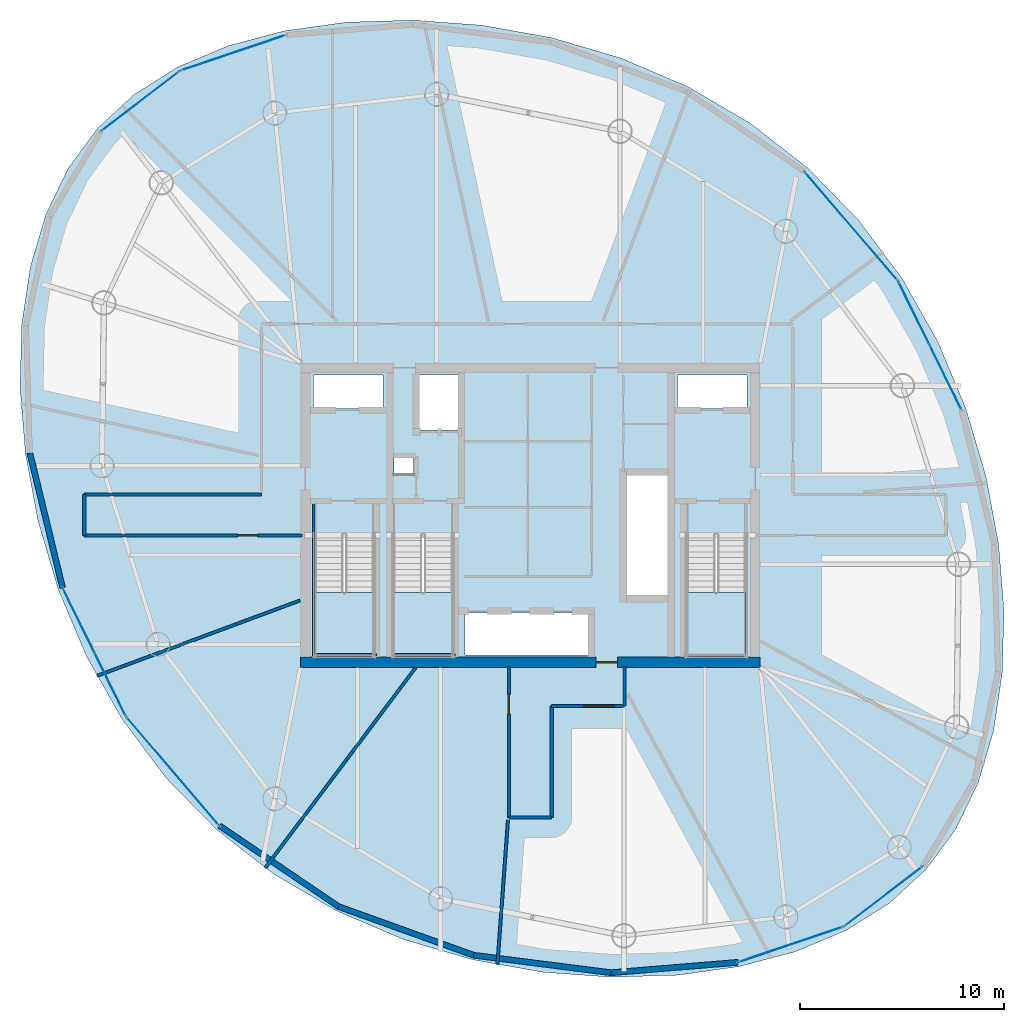
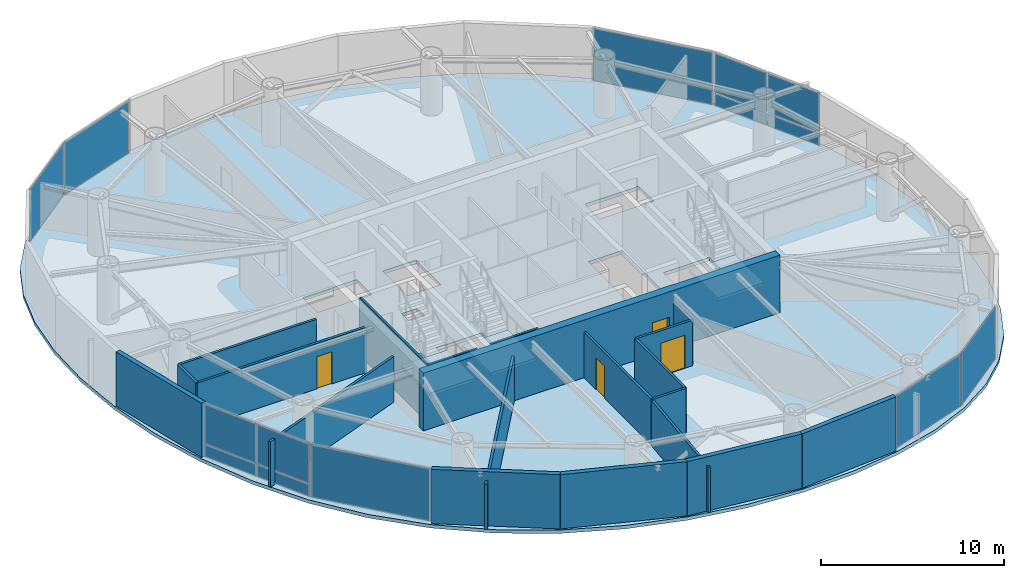
# One storey, part 13 of 19: 20 walls, 14 plates, 4 doors, 4 slabs, 4 openings, 11 elements without a shape of their own.
"""IFC4 building model written with IfcOpenShell, lengths in metres."""

from ifc_helpers import new_model, si_unit, direction, frame, frame_2d, origin, origin_2d, place, context, subcontext, project, spatial, polyline, rectangle, outline, extrude, material, layer, layer_set, type_object, element, fill, aggregate, save


model = new_model("IFC4")

# Units and contexts
model_context = context("Model", 3, precision=1e-05, world=origin(), true_north=direction((0.0, 1.0)))
body_context = subcontext(model_context, "Body", "Model", "MODEL_VIEW")
ifc_project = project(units=[si_unit("LENGTHUNIT", "METRE"), si_unit("AREAUNIT", "SQUARE_METRE"), si_unit("VOLUMEUNIT", "CUBIC_METRE"), si_unit("PLANEANGLEUNIT", "RADIAN"), si_unit("MASSUNIT", "GRAM", prefix="KILO")], contexts=[model_context])

# Site, building, storey
site_placement = place(None, origin())
site = spatial("IfcSite", under=ifc_project, at=site_placement, CompositionType="ELEMENT")
building_placement = place(site_placement, origin())
building = spatial("IfcBuilding", under=site, at=building_placement, Name="Bramvorn Convention Spire", CompositionType="ELEMENT")
storey_placement = place(building_placement, frame((0.0, 0.0, 198.14990234375)))
storey = spatial("IfcBuildingStorey", under=building, at=storey_placement, Name="L50", CompositionType="ELEMENT", Elevation=198.14990234375)

# Curtain wall, plates
ifc_material_1 = material(Name="Anodised Bronze Unitised Curtain Wall", Category="aluminium")
ifc_layer_1 = layer(ifc_material_1, 0.179931640625)
ifc_layer_set_1 = layer_set([ifc_layer_1], Name="Anodised Bronze Unitised Curtain Wall - CW-OFF-FRIT")
curtain_wall_type = type_object("IfcCurtainWallType", Name="CW-OFF-FRIT", PredefinedType="USERDEFINED", material=ifc_layer_set_1)
curtain_wall_1_placement = place(storey_placement, origin())
curtain_wall_1 = element("IfcCurtainWall", 1, at=curtain_wall_1_placement, inside=storey, type_object=curtain_wall_type, Name="L50 fritted glass curtain wall 05", ObjectType="UNITISED CURTAIN WALL", PredefinedType="USERDEFINED")
ifc_material_2 = material(Name="Laminated Low-E Glass (Triple IGU Solar Bronze Frit 28%)", Category="glass")
ifc_layer_2 = layer(ifc_material_2, 0.0400390625)
ifc_layer_set_2 = layer_set([ifc_layer_2], Name="Laminated Low-E Glass (Triple IGU Solar Bronze Frit 28%) - PNL-IGU-3")
plate_type = type_object("IfcPlateType", Name="PNL-IGU-3", PredefinedType="CURTAIN_PANEL", material=ifc_layer_set_2)
plate_1_placement = place(storey_placement, frame((56.778564453125, 35.86474609375, 0.06005859375), z_axis=(0.0, 0.0, 1.0), x_axis=(0.441647497316, -0.897188658039, 0.0)))
plate_1 = element("IfcPlate", 2, at=plate_1_placement, type_object=plate_type, Name="CW3 panel 1.1", PredefinedType="CURTAIN_PANEL", context=body_context, shape_type="SweptSolid", body=[
    extrude(rectangle(XDim=3.418701171875, YDim=0.028076171875, at=origin_2d()), origin(), (0.0, 0.0, 1.0), 0.81005859375),
])
plate_2_placement = place(storey_placement, frame((56.778564453125, 35.86474609375, 0.93017578125), z_axis=(0.0, 0.0, 1.0), x_axis=(0.441647497316, -0.897188658039, 0.0)))
plate_2 = element("IfcPlate", 3, at=plate_2_placement, type_object=plate_type, Name="CW3 panel 1.2", PredefinedType="CURTAIN_PANEL", context=body_context, shape_type="SweptSolid", body=[
    extrude(rectangle(XDim=3.418701171875, YDim=0.028076171875, at=origin_2d()), origin(), (0.0, 0.0, 1.0), 2.6298828125),
])
plate_3_placement = place(storey_placement, frame((58.31494140625, 32.74365234375, 0.06005859375), z_axis=(0.0, 0.0, 1.0), x_axis=(0.441647497316, -0.897188658039, 0.0)))
plate_3 = element("IfcPlate", 4, at=plate_3_placement, type_object=plate_type, Name="CW3 panel 2.1", PredefinedType="CURTAIN_PANEL", context=body_context, shape_type="SweptSolid", body=[
    extrude(rectangle(XDim=3.418701171875, YDim=0.028076171875, at=origin_2d()), origin(), (0.0, 0.0, 1.0), 0.81005859375),
])
plate_4_placement = place(storey_placement, frame((58.31494140625, 32.74365234375, 0.93017578125), z_axis=(0.0, 0.0, 1.0), x_axis=(0.441647497316, -0.897188658039, 0.0)))
plate_4 = element("IfcPlate", 5, at=plate_4_placement, type_object=plate_type, Name="CW3 panel 2.2", PredefinedType="CURTAIN_PANEL", context=body_context, shape_type="SweptSolid", body=[
    extrude(rectangle(XDim=3.418701171875, YDim=0.028076171875, at=origin_2d()), origin(), (0.0, 0.0, 1.0), 2.6298828125),
])
aggregate(curtain_wall_1, [plate_1, plate_2, plate_3, plate_4])

# Curtain wall, plate
curtain_wall_2_placement = place(storey_placement, origin())
curtain_wall_2 = element("IfcCurtainWall", 6, at=curtain_wall_2_placement, inside=storey, type_object=curtain_wall_type, Name="L50 fritted glass curtain wall 06", ObjectType="UNITISED CURTAIN WALL", PredefinedType="USERDEFINED")
plate_5_placement = place(storey_placement, frame((53.70654296875, 40.12890625, 0.06005859375), z_axis=(0.0, 0.0, 1.0), x_axis=(0.650172838355, -0.759786338562, 0.0)))
plate_5 = element("IfcPlate", 7, at=plate_5_placement, type_object=plate_type, Name="CW3 panel 1.1", PredefinedType="CURTAIN_PANEL", context=body_context, shape_type="SweptSolid", body=[
    extrude(rectangle(XDim=6.92578125, YDim=0.028076171875, at=origin_2d()), origin(), (0.0, 0.0, 1.0), 3.5),
])
aggregate(curtain_wall_2, [plate_5])

curtain_wall_3_placement = place(storey_placement, origin())
curtain_wall_3 = element("IfcCurtainWall", 8, at=curtain_wall_3_placement, inside=storey, type_object=curtain_wall_type, Name="L50 fritted glass curtain wall 11", ObjectType="UNITISED CURTAIN WALL", PredefinedType="USERDEFINED")
plate_6_placement = place(storey_placement, frame((23.45849609375, 48.61376953125, 0.06005859375), z_axis=(0.0, 0.0, 1.0), x_axis=(0.947513000091, 0.319717241728, 0.0)))
plate_6 = element("IfcPlate", 9, at=plate_6_placement, type_object=plate_type, Name="CW3 panel 1.1", PredefinedType="CURTAIN_PANEL", context=body_context, shape_type="SweptSolid", body=[
    extrude(rectangle(XDim=5.344482421875, YDim=0.028076171875, at=origin_2d()), origin(), (0.0, 0.0, 1.0), 3.5),
])
aggregate(curtain_wall_3, [plate_6])

curtain_wall_4_placement = place(storey_placement, origin())
curtain_wall_4 = element("IfcCurtainWall", 10, at=curtain_wall_4_placement, inside=storey, type_object=curtain_wall_type, Name="L50 fritted glass curtain wall 12", ObjectType="UNITISED CURTAIN WALL", PredefinedType="USERDEFINED")
plate_7_placement = place(storey_placement, frame((18.93115234375, 46.261474609375, 0.06005859375), z_axis=(0.0, 0.0, 1.0), x_axis=(0.795120912018, 0.606450933935, 0.0)))
plate_7 = element("IfcPlate", 11, at=plate_7_placement, type_object=plate_type, Name="CW3 panel 1.1", PredefinedType="CURTAIN_PANEL", context=body_context, shape_type="SweptSolid", body=[
    extrude(rectangle(XDim=4.75634765625, YDim=0.028076171875, at=origin_2d()), origin(), (0.0, 0.0, 1.0), 3.5),
])
aggregate(curtain_wall_4, [plate_7])

# Curtain wall, plates
curtain_wall_5_placement = place(storey_placement, origin())
curtain_wall_5 = element("IfcCurtainWall", 12, at=curtain_wall_5_placement, inside=storey, type_object=curtain_wall_type, Name="L50 fritted glass curtain wall 17", ObjectType="UNITISED CURTAIN WALL", PredefinedType="USERDEFINED")
plate_8_placement = place(storey_placement, frame((17.432373046875, 17.73486328125, 0.06005859375), z_axis=(0.0, 0.0, 1.0), x_axis=(-0.441658967641, 0.897183011599, 0.0)))
plate_8 = element("IfcPlate", 13, at=plate_8_placement, type_object=plate_type, Name="CW3 panel 1.1", PredefinedType="CURTAIN_PANEL", context=body_context, shape_type="SweptSolid", body=[
    extrude(rectangle(XDim=3.418701171875, YDim=0.028076171875, at=origin_2d()), origin(), (0.0, 0.0, 1.0), 0.81005859375),
])
plate_9_placement = place(storey_placement, frame((17.432373046875, 17.73486328125, 0.93017578125), z_axis=(0.0, 0.0, 1.0), x_axis=(-0.441658967641, 0.897183011599, 0.0)))
plate_9 = element("IfcPlate", 14, at=plate_9_placement, type_object=plate_type, Name="CW3 panel 1.2", PredefinedType="CURTAIN_PANEL", context=body_context, shape_type="SweptSolid", body=[
    extrude(rectangle(XDim=3.418701171875, YDim=0.028076171875, at=origin_2d()), origin(), (0.0, 0.0, 1.0), 2.6298828125),
])
plate_10_placement = place(storey_placement, frame((15.89599609375, 20.85595703125, 0.06005859375), z_axis=(0.0, 0.0, 1.0), x_axis=(-0.441658967641, 0.897183011599, 0.0)))
plate_10 = element("IfcPlate", 15, at=plate_10_placement, type_object=plate_type, Name="CW3 panel 2.1", PredefinedType="CURTAIN_PANEL", context=body_context, shape_type="SweptSolid", body=[
    extrude(rectangle(XDim=3.418701171875, YDim=0.028076171875, at=origin_2d()), origin(), (0.0, 0.0, 1.0), 0.81005859375),
])
plate_11_placement = place(storey_placement, frame((15.89599609375, 20.85595703125, 0.93017578125), z_axis=(0.0, 0.0, 1.0), x_axis=(-0.441658967641, 0.897183011599, 0.0)))
plate_11 = element("IfcPlate", 16, at=plate_11_placement, type_object=plate_type, Name="CW3 panel 2.2", PredefinedType="CURTAIN_PANEL", context=body_context, shape_type="SweptSolid", body=[
    extrude(rectangle(XDim=3.418701171875, YDim=0.028076171875, at=origin_2d()), origin(), (0.0, 0.0, 1.0), 2.6298828125),
])
aggregate(curtain_wall_5, [plate_8, plate_9, plate_10, plate_11])

# Curtain wall, plate
curtain_wall_6_placement = place(storey_placement, origin())
curtain_wall_6 = element("IfcCurtainWall", 17, at=curtain_wall_6_placement, inside=storey, type_object=curtain_wall_type, Name="L50 fritted glass curtain wall 18", ObjectType="UNITISED CURTAIN WALL", PredefinedType="USERDEFINED")
plate_12_placement = place(storey_placement, frame((20.50439453125, 13.470703125, 0.06005859375), z_axis=(0.0, 0.0, 1.0), x_axis=(-0.650171656289, 0.759787350091, 0.0)))
plate_12 = element("IfcPlate", 18, at=plate_12_placement, type_object=plate_type, Name="CW3 panel 1.1", PredefinedType="CURTAIN_PANEL", context=body_context, shape_type="SweptSolid", body=[
    extrude(rectangle(XDim=6.925537109375, YDim=0.028076171875, at=origin_2d()), origin(), (0.0, 0.0, 1.0), 3.5),
])
aggregate(curtain_wall_6, [plate_12])

curtain_wall_7_placement = place(storey_placement, origin())
curtain_wall_7 = element("IfcCurtainWall", 19, at=curtain_wall_7_placement, inside=storey, type_object=curtain_wall_type, Name="L50 fritted glass curtain wall 23", ObjectType="UNITISED CURTAIN WALL", PredefinedType="USERDEFINED")
plate_13_placement = place(storey_placement, frame((50.752197265625, 4.986083984375, 0.06005859375), z_axis=(0.0, 0.0, 1.0), x_axis=(-0.947507456285, -0.319733670864, 0.0)))
plate_13 = element("IfcPlate", 20, at=plate_13_placement, type_object=plate_type, Name="CW3 panel 1.1", PredefinedType="CURTAIN_PANEL", context=body_context, shape_type="SweptSolid", body=[
    extrude(rectangle(XDim=5.344482421875, YDim=0.028076171875, at=origin_2d()), origin(), (0.0, 0.0, 1.0), 3.5),
])
aggregate(curtain_wall_7, [plate_13])

curtain_wall_8_placement = place(storey_placement, origin())
curtain_wall_8 = element("IfcCurtainWall", 21, at=curtain_wall_8_placement, inside=storey, type_object=curtain_wall_type, Name="L50 fritted glass curtain wall 24", ObjectType="UNITISED CURTAIN WALL", PredefinedType="USERDEFINED")
plate_14_placement = place(storey_placement, frame((55.27978515625, 7.338134765625, 0.06005859375), z_axis=(0.0, 0.0, 1.0), x_axis=(-0.79512845418, -0.606441045242, 0.0)))
plate_14 = element("IfcPlate", 22, at=plate_14_placement, type_object=plate_type, Name="CW3 panel 1.1", PredefinedType="CURTAIN_PANEL", context=body_context, shape_type="SweptSolid", body=[
    extrude(rectangle(XDim=4.75634765625, YDim=0.028076171875, at=origin_2d()), origin(), (0.0, 0.0, 1.0), 3.5),
])
aggregate(curtain_wall_8, [plate_14])

# Stair, slab
ifc_material_3 = material(Name="Concrete C40/50 Precast Stair", Category="concrete")
stair_type = type_object("IfcStairType", Name="ST-TOWER-1550", PredefinedType="HALF_TURN_STAIR", material=ifc_material_3)
stair_1_placement = place(storey_placement, origin())
stair_1 = element("IfcStair", 23, at=stair_1_placement, inside=storey, type_object=stair_type, Name="L50 Protected Exit Stair ST1", PredefinedType="HALF_TURN_STAIR")
ifc_material_4 = material(Name="Concrete C40/50 Stair Landing", Category="concrete")
ifc_layer_3 = layer(ifc_material_4, 0.219970703125)
ifc_layer_set_3 = layer_set([ifc_layer_3], Name="Concrete C40/50 Stair Landing - SLB-STAIR-LANDING")
slab_type_1 = type_object("IfcSlabType", Name="SLB-STAIR-LANDING", PredefinedType="LANDING", material=ifc_layer_set_3)
slab_1_placement = place(storey_placement, frame((0.0, 0.0, 1.72509765625)))
slab_1 = element("IfcSlab", 24, at=slab_1_placement, type_object=slab_type_1, Name="ST1 landing 1", PredefinedType="LANDING", context=body_context, shape_type="SweptSolid", body=[
    extrude(outline(polyline([(27.449951171875, 22.199951171875), (27.449951171875, 19.10009765625), (30.35009765625, 19.10009765625), (30.35009765625, 22.199951171875), (27.449951171875, 22.199951171875)])), origin(), (0.0, 0.0, 1.0), 0.199951171875),
])
aggregate(stair_1, [slab_1])

stair_2_placement = place(storey_placement, origin())
stair_2 = element("IfcStair", 25, at=stair_2_placement, inside=storey, type_object=stair_type, Name="L50 Protected Exit Stair ST2", PredefinedType="HALF_TURN_STAIR")
slab_2_placement = place(storey_placement, frame((0.0, 0.0, 1.72509765625)))
slab_2 = element("IfcSlab", 26, at=slab_2_placement, type_object=slab_type_1, Name="ST2 landing 1", PredefinedType="LANDING", context=body_context, shape_type="SweptSolid", body=[
    extrude(outline(polyline([(45.64990234375, 22.199951171875), (45.64990234375, 19.10009765625), (48.550048828125, 19.10009765625), (48.550048828125, 22.199951171875), (45.64990234375, 22.199951171875)])), origin(), (0.0, 0.0, 1.0), 0.199951171875),
])
aggregate(stair_2, [slab_2])

stair_3_placement = place(storey_placement, origin())
stair_3 = element("IfcStair", 27, at=stair_3_placement, inside=storey, type_object=stair_type, Name="L50 Protected Exit Stair ST3", PredefinedType="HALF_TURN_STAIR")
slab_3_placement = place(storey_placement, frame((0.0, 0.0, 1.72509765625)))
slab_3 = element("IfcSlab", 28, at=slab_3_placement, type_object=slab_type_1, Name="ST3 landing 1", PredefinedType="LANDING", context=body_context, shape_type="SweptSolid", body=[
    extrude(outline(polyline([(31.300048828125, 22.199951171875), (31.300048828125, 19.10009765625), (34.199951171875, 19.10009765625), (34.199951171875, 22.199951171875), (31.300048828125, 22.199951171875)])), origin(), (0.0, 0.0, 1.0), 0.199951171875),
])
aggregate(stair_3, [slab_3])

# Slab
ifc_material_5 = material(Name="Concrete C40/50", Category="concrete")
ifc_layer_4 = layer(ifc_material_5, 0.22998046875)
ifc_layer_set_4 = layer_set([ifc_layer_4], Name="Concrete C40/50 - SLB-Z3-230")
slab_type_2 = type_object("IfcSlabType", Name="SLB-Z3-230", PredefinedType="FLOOR", material=ifc_layer_set_4)
slab_4_placement = place(storey_placement, frame((0.0, 0.0, -0.22998046875)))
element("IfcSlab", 29, at=slab_4_placement, inside=storey, type_object=slab_type_2, Name="L50 tower floor slab", PredefinedType="FLOOR", context=body_context, shape_type="SweptSolid", body=[
    extrude(outline(polyline([(57.38232421875, 8.670166015625), (58.822509765625, 10.6298828125), (59.918701171875, 12.8974609375), (60.67578125, 15.4599609375), (61.096435546875, 18.29150390625), (61.17919921875, 21.349365234375), (60.916748046875, 24.57568359375), (60.298095703125, 27.89697265625), (59.310302734375, 31.230712890625), (57.94287109375, 34.488525390625), (56.19091796875, 37.583740234375), (54.061279296875, 40.437255859375), (51.574462890625, 42.982666015625), (48.767822265625, 45.170166015625), (45.694580078125, 46.968505859375), (42.42333984375, 48.3642578125), (39.033447265625, 49.3603515625), (35.610595703125, 49.97021484375), (32.24072265625, 50.21484375), (29.005615234375, 50.115966796875), (25.975830078125, 49.693115234375), (23.208984375, 48.959228515625), (20.74658203125, 47.921142578125), (18.615478515625, 46.5791015625), (16.82861328125, 44.929443359375), (15.388427734375, 42.9697265625), (14.292236328125, 40.702392578125), (13.53515625, 38.1396484375), (13.114501953125, 35.308349609375), (13.03173828125, 32.250244140625), (13.294189453125, 29.024169921875), (13.91259765625, 25.70263671875), (14.900390625, 22.368896484375), (16.26806640625, 19.111083984375), (18.02001953125, 16.015869140625), (20.149658203125, 13.162353515625), (22.63623046875, 10.616943359375), (25.443115234375, 8.4296875), (28.51611328125, 6.63134765625), (31.787353515625, 5.2353515625), (35.177490234375, 4.239501953125), (38.600341796875, 3.62939453125), (41.97021484375, 3.385009765625), (45.205322265625, 3.483642578125), (48.235107421875, 3.90673828125), (51.001953125, 4.640380859375), (53.464111328125, 5.678466796875), (55.59521484375, 7.0205078125), (57.38232421875, 8.670166015625)]), holes=[polyline([(27.449951171875, 25.050048828125), (27.449951171875, 19.10009765625), (30.35009765625, 19.10009765625), (30.35009765625, 25.050048828125), (27.449951171875, 25.050048828125)]), polyline([(45.64990234375, 25.050048828125), (45.64990234375, 19.10009765625), (48.550048828125, 19.10009765625), (48.550048828125, 25.050048828125), (45.64990234375, 25.050048828125)]), polyline([(31.300048828125, 25.050048828125), (31.300048828125, 19.10009765625), (34.199951171875, 19.10009765625), (34.199951171875, 25.050048828125), (31.300048828125, 25.050048828125)]), polyline([(27.39990234375, 31.219970703125), (30.800048828125, 31.219970703125), (30.800048828125, 32.85009765625), (27.39990234375, 32.85009765625), (27.39990234375, 31.219970703125)]), polyline([(45.199951171875, 31.219970703125), (48.60009765625, 31.219970703125), (48.60009765625, 32.85009765625), (45.199951171875, 32.85009765625), (45.199951171875, 31.219970703125)]), polyline([(32.449951171875, 30.14990234375), (34.56005859375, 30.14990234375), (34.56005859375, 32.85009765625), (32.449951171875, 32.85009765625), (32.449951171875, 30.14990234375)]), polyline([(34.800048828125, 19.14990234375), (40.97998046875, 19.14990234375), (40.97998046875, 21.199951171875), (34.800048828125, 21.199951171875), (34.800048828125, 19.14990234375)]), polyline([(42.6201171875, 22.0), (44.75, 22.0), (44.75, 28.0), (42.6201171875, 28.0), (42.6201171875, 22.0)]), polyline([(31.320068359375, 28.02001953125), (32.280029296875, 28.02001953125), (32.280029296875, 28.820068359375), (31.320068359375, 28.820068359375), (31.320068359375, 28.02001953125)])]), origin(), (0.0, 0.0, 1.0), 0.22998046875),
])

# Wall, opening, door
ifc_material_6 = material(Name="Concrete C50/60", Category="concrete")
ifc_layer_5 = layer(ifc_material_6, 0.5)
ifc_layer_set_5 = layer_set([ifc_layer_5], Name="Concrete C50/60 - WL-CORE-500")
wall_type_1 = type_object("IfcWallType", Name="WL-CORE-500", PredefinedType="SHEAR", material=ifc_layer_set_5)
wall_1_placement = place(storey_placement, frame((26.75, 18.800048828125, 0.0), z_axis=(0.0, 0.0, 1.0), x_axis=(1.0, 0.0, 0.0)))
wall_1 = element("IfcWall", 30, at=wall_1_placement, inside=storey, type_object=wall_type_1, Name="L50 South RC core shear wall", PredefinedType="SHEAR", context=body_context, shape_type="SweptSolid", body=[
    extrude(rectangle(XDim=22.5, YDim=0.5, at=frame_2d((11.25, 0.0))), origin(), (0.0, 0.0, 1.0), 3.85009765625),
])
opening_1_placement = place(wall_1_placement, frame((14.469970703125, 0.0, 0.0)))
opening_1 = element("IfcOpeningElement", 31, at=opening_1_placement, cuts=wall_1, Name="Opening DL-105", PredefinedType="OPENING", context=body_context, shape_type="SweptSolid", body=[
    extrude(rectangle(XDim=1.050048828125, YDim=2.14990234375, at=frame_2d((0.52490234375, 1.074951171875))), frame((0.0, 0.260009765625, 0.0), z_axis=(0.0, -1.0, 0.0), x_axis=(1.0, 0.0, 0.0)), (0.0, 0.0, 1.0), 0.52001953125),
])
ifc_material_7 = material(Name="Smoke-Sealed Fire Lobby Timber-Core Door", Category="wood")
door_type_1 = type_object("IfcDoorType", Name="DR-LOBBY-1050", OperationType="NOTDEFINED", PredefinedType="DOOR", material=ifc_material_7)
door_1_placement = place(opening_1_placement, origin())
door_1 = element("IfcDoor", 32, at=door_1_placement, inside=storey, type_object=door_type_1, Name="L50 South Lift Lobby fire door", OperationType="SINGLE_SWING_RIGHT", OverallHeight=2.14990234375, OverallWidth=1.050048828125, PredefinedType="DOOR", context=body_context, shape_type="SweptSolid", body=[
    extrude(rectangle(XDim=1.050048828125, YDim=2.14990234375, at=frame_2d((0.52490234375, 1.074951171875))), frame((0.0, 0.02490234375, 0.0), z_axis=(0.0, -1.0, 0.0), x_axis=(1.0, 0.0, 0.0)), (0.0, 0.0, 1.0), 0.050048828125),
])
fill(opening_1, door_1)

# Walls
ifc_material_8 = material(Name="Precast Concrete C40/50 with Bronze Terracotta Rainscreen", Category="masonry")
ifc_layer_6 = layer(ifc_material_8, 0.300048828125)
ifc_layer_set_6 = layer_set([ifc_layer_6], Name="Precast Concrete C40/50 with Bronze Terracotta Rainscreen - WL-EXT-BRONZE-300")
wall_type_2 = type_object("IfcWallType", Name="WL-EXT-BRONZE-300", PredefinedType="SOLIDWALL", material=ifc_layer_set_6)
wall_2_placement = place(storey_placement, frame((15.114501953125, 22.443359375, 0.0), z_axis=(0.0, 0.0, 1.0), x_axis=(-0.235917229787, 0.971773152896, 0.0)))
element("IfcWall", 33, at=wall_2_placement, inside=storey, type_object=wall_type_2, Name="L50 expressed bronze Gothic lancet pier wall 16", PredefinedType="SOLIDWALL", context=body_context, shape_type="SweptSolid", body=[
    extrude(rectangle(XDim=6.784423828125, YDim=0.280029296875, at=frame_2d((3.39208984375, 0.0))), origin(), (0.0, 0.0, 1.0), 3.6201171875),
])
wall_3_placement = place(storey_placement, frame((28.625, 6.838623046875, 0.0), z_axis=(0.0, 0.0, 1.0), x_axis=(-0.827523497292, 0.561431083419, 0.0)))
element("IfcWall", 34, at=wall_3_placement, inside=storey, type_object=wall_type_2, Name="L50 expressed bronze Gothic lancet pier wall 19", PredefinedType="SOLIDWALL", context=body_context, shape_type="SweptSolid", body=[
    extrude(rectangle(XDim=7.04541015625, YDim=0.280029296875, at=frame_2d((3.522705078125, 0.0))), origin(), (0.0, 0.0, 1.0), 3.6201171875),
])
wall_4_placement = place(storey_placement, frame((35.2275390625, 4.46044921875, 0.0), z_axis=(0.0, 0.0, 1.0), x_axis=(-0.94083018899, 0.338878378603, 0.0)))
element("IfcWall", 35, at=wall_4_placement, inside=storey, type_object=wall_type_2, Name="L50 expressed bronze Gothic lancet pier wall 20", PredefinedType="SOLIDWALL", context=body_context, shape_type="SweptSolid", body=[
    extrude(rectangle(XDim=7.017822265625, YDim=0.280029296875, at=frame_2d((3.5087890625, 0.0))), origin(), (0.0, 0.0, 1.0), 3.6201171875),
])
wall_5_placement = place(storey_placement, frame((41.957763671875, 3.6044921875, 0.0), z_axis=(0.0, 0.0, 1.0), x_axis=(-0.992009297988, 0.126164783935, 0.0)))
element("IfcWall", 36, at=wall_5_placement, inside=storey, type_object=wall_type_2, Name="L50 expressed bronze Gothic lancet pier wall 21", PredefinedType="SOLIDWALL", context=body_context, shape_type="SweptSolid", body=[
    extrude(rectangle(XDim=6.784423828125, YDim=0.280029296875, at=frame_2d((3.39208984375, 0.0))), origin(), (0.0, 0.0, 1.0), 3.6201171875),
])
wall_6_placement = place(storey_placement, frame((48.163330078125, 4.1123046875, 0.0), z_axis=(0.0, 0.0, 1.0), x_axis=(-0.996668503052, -0.081559150458, 0.0)))
element("IfcWall", 37, at=wall_6_placement, inside=storey, type_object=wall_type_2, Name="L50 expressed bronze Gothic lancet pier wall 22", PredefinedType="SOLIDWALL", context=body_context, shape_type="SweptSolid", body=[
    extrude(rectangle(XDim=6.226318359375, YDim=0.280029296875, at=frame_2d((3.11328125, 0.0))), origin(), (0.0, 0.0, 1.0), 3.6201171875),
])
ifc_material_9 = material(Name="Acoustic Metal-Stud Tenant/Corridor Partition", Category="gypsum")
ifc_layer_7 = layer(ifc_material_9, 0.14990234375)
ifc_layer_set_7 = layer_set([ifc_layer_7], Name="Acoustic Metal-Stud Tenant/Corridor Partition - WL-PART-150")
wall_type_3 = type_object("IfcWallType", Name="WL-PART-150", PredefinedType="PARTITIONING", material=ifc_layer_set_7)
wall_7_placement = place(storey_placement, frame((16.17529296875, 27.0, 0.0), z_axis=(0.0, 0.0, 1.0), x_axis=(1.0, 0.0, 0.0)))
element("IfcWall", 38, at=wall_7_placement, inside=storey, type_object=wall_type_3, Name="L50 West wing spine north wall", PredefinedType="PARTITIONING", context=body_context, shape_type="SweptSolid", body=[
    extrude(rectangle(XDim=8.6748046875, YDim=0.14990234375, at=frame_2d((4.33740234375, 0.0))), origin(), (0.0, 0.0, 1.0), 3.03515625),
])

# Wall, opening, door
wall_8_placement = place(storey_placement, frame((16.17529296875, 25.0, 0.0), z_axis=(0.0, 0.0, 1.0), x_axis=(1.0, 0.0, 0.0)))
wall_8 = element("IfcWall", 39, at=wall_8_placement, inside=storey, type_object=wall_type_3, Name="L50 West wing spine south wall", PredefinedType="PARTITIONING", context=body_context, shape_type="SweptSolid", body=[
    extrude(rectangle(XDim=10.6748046875, YDim=0.14990234375, at=frame_2d((5.33740234375, 0.0))), origin(), (0.0, 0.0, 1.0), 3.03515625),
])
opening_2_placement = place(wall_8_placement, frame((7.531005859375, 0.0, 0.0)))
opening_2 = element("IfcOpeningElement", 40, at=opening_2_placement, cuts=wall_8, Name="Opening DH-095", PredefinedType="OPENING", context=body_context, shape_type="SweptSolid", body=[
    extrude(rectangle(XDim=0.949951171875, YDim=2.14990234375, at=frame_2d((0.47509765625, 1.074951171875))), frame((0.0, 0.0849609375, 0.0), z_axis=(0.0, -1.0, 0.0), x_axis=(1.0, 0.0, 0.0)), (0.0, 0.0, 1.0), 0.169921875),
])
ifc_material_10 = material(Name="Solid-Core Acoustic Guestroom Entry Door", Category="wood")
door_type_2 = type_object("IfcDoorType", Name="DR-HOTEL-950", OperationType="NOTDEFINED", PredefinedType="DOOR", material=ifc_material_10)
door_2_placement = place(opening_2_placement, origin())
door_2 = element("IfcDoor", 41, at=door_2_placement, inside=storey, type_object=door_type_2, Name="L50 Partner Private Office 3 6 door", OperationType="SINGLE_SWING_RIGHT", OverallHeight=2.14990234375, OverallWidth=0.949951171875, PredefinedType="DOOR", context=body_context, shape_type="SweptSolid", body=[
    extrude(rectangle(XDim=0.949951171875, YDim=2.14990234375, at=frame_2d((0.47509765625, 1.074951171875))), frame((0.0, 0.02490234375, 0.0), z_axis=(0.0, -1.0, 0.0), x_axis=(1.0, 0.0, 0.0)), (0.0, 0.0, 1.0), 0.050048828125),
])
fill(opening_2, door_2)

# Wall
wall_9_placement = place(storey_placement, frame((16.17529296875, 25.0, 0.0), z_axis=(0.0, 0.0, 1.0), x_axis=(0.0, 1.0, 0.0)))
element("IfcWall", 42, at=wall_9_placement, inside=storey, type_object=wall_type_3, Name="L50 West wing spine end wall", PredefinedType="PARTITIONING", context=body_context, shape_type="SweptSolid", body=[
    extrude(rectangle(XDim=2.0, YDim=0.14990234375, at=frame_2d((1.0, 0.0))), origin(), (0.0, 0.0, 1.0), 3.03515625),
])

# Wall, opening, door
wall_10_placement = place(storey_placement, frame((36.949951171875, 11.199951171875, 0.0), z_axis=(0.0, 0.0, 1.0), x_axis=(0.0, 1.0, 0.0)))
wall_10 = element("IfcWall", 43, at=wall_10_placement, inside=storey, type_object=wall_type_3, Name="L50 South axial spine west wall", PredefinedType="PARTITIONING", context=body_context, shape_type="SweptSolid", body=[
    extrude(rectangle(XDim=7.400146484375, YDim=0.14990234375, at=frame_2d((3.7001953125, 0.0))), origin(), (0.0, 0.0, 1.0), 3.03515625),
])
opening_3_placement = place(wall_10_placement, frame((5.074951171875, 0.0, 0.0)))
opening_3 = element("IfcOpeningElement", 44, at=opening_3_placement, cuts=wall_10, Name="Opening DH-095", PredefinedType="OPENING", context=body_context, shape_type="SweptSolid", body=[
    extrude(rectangle(XDim=0.949951171875, YDim=2.14990234375, at=frame_2d((0.47509765625, 1.074951171875))), frame((0.0, 0.0849609375, 0.0), z_axis=(0.0, -1.0, 0.0), x_axis=(1.0, 0.0, 0.0)), (0.0, 0.0, 1.0), 0.169921875),
])
door_3_placement = place(opening_3_placement, origin())
door_3 = element("IfcDoor", 45, at=door_3_placement, inside=storey, type_object=door_type_2, Name="L50 Refreshment Kitchen 8 door", OperationType="SINGLE_SWING_LEFT", OverallHeight=2.14990234375, OverallWidth=0.949951171875, PredefinedType="DOOR", context=body_context, shape_type="SweptSolid", body=[
    extrude(rectangle(XDim=0.949951171875, YDim=2.14990234375, at=frame_2d((0.47509765625, 1.074951171875))), frame((0.0, 0.02490234375, 0.0), z_axis=(0.0, -1.0, 0.0), x_axis=(1.0, 0.0, 0.0)), (0.0, 0.0, 1.0), 0.050048828125),
])
fill(opening_3, door_3)

# Wall
wall_11_placement = place(storey_placement, frame((39.050048828125, 11.199951171875, 0.0), z_axis=(0.0, 0.0, 1.0), x_axis=(0.0, 1.0, 0.0)))
element("IfcWall", 46, at=wall_11_placement, inside=storey, type_object=wall_type_3, Name="L50 South axial spine east wall", PredefinedType="PARTITIONING", context=body_context, shape_type="SweptSolid", body=[
    extrude(rectangle(XDim=5.449951171875, YDim=0.14990234375, at=frame_2d((2.72509765625, 0.0))), origin(), (0.0, 0.0, 1.0), 3.03515625),
])

# Wall, opening, door
wall_12_placement = place(storey_placement, frame((39.050048828125, 16.64990234375, 0.0), z_axis=(0.0, 0.0, 1.0), x_axis=(1.0, 0.0, 0.0)))
wall_12 = element("IfcWall", 47, at=wall_12_placement, inside=storey, type_object=wall_type_3, Name="L50 South lift lobby link wall", PredefinedType="PARTITIONING", context=body_context, shape_type="SweptSolid", body=[
    extrude(rectangle(XDim=3.550048828125, YDim=0.14990234375, at=frame_2d((1.77490234375, 0.0))), origin(), (0.0, 0.0, 1.0), 3.03515625),
])
opening_4_placement = place(wall_12_placement, frame((1.5576171875, 0.0, 0.0)))
opening_4 = element("IfcOpeningElement", 48, at=opening_4_placement, cuts=wall_12, Name="Opening DC-150", PredefinedType="OPENING", context=body_context, shape_type="SweptSolid", body=[
    extrude(rectangle(XDim=1.5, YDim=2.199951171875, at=frame_2d((0.75, 1.10009765625))), frame((0.0, 0.0849609375, 0.0), z_axis=(0.0, -1.0, 0.0), x_axis=(1.0, 0.0, 0.0)), (0.0, 0.0, 1.0), 0.169921875),
])
ifc_material_11 = material(Name="Double-Leaf Smoke-Control Corridor Door", Category="wood")
door_type_3 = type_object("IfcDoorType", Name="DR-COR-1500", OperationType="NOTDEFINED", PredefinedType="DOOR", material=ifc_material_11)
door_4_placement = place(opening_4_placement, origin())
door_4 = element("IfcDoor", 49, at=door_4_placement, inside=storey, type_object=door_type_3, Name="L50 Staff Dining Nook 9 door", OperationType="DOUBLE_DOOR_SINGLE_SWING", OverallHeight=2.199951171875, OverallWidth=1.5, PredefinedType="DOOR", context=body_context, shape_type="SweptSolid", body=[
    extrude(rectangle(XDim=1.5, YDim=2.199951171875, at=frame_2d((0.75, 1.10009765625))), frame((0.0, 0.02490234375, 0.0), z_axis=(0.0, -1.0, 0.0), x_axis=(1.0, 0.0, 0.0)), (0.0, 0.0, 1.0), 0.050048828125),
])
fill(opening_4, door_4)

# Walls
wall_13_placement = place(storey_placement, frame((42.60009765625, 16.64990234375, 0.0), z_axis=(0.0, 0.0, 1.0), x_axis=(0.0, 1.0, 0.0)))
element("IfcWall", 50, at=wall_13_placement, inside=storey, type_object=wall_type_3, Name="L50 South lift lobby east cheek", PredefinedType="PARTITIONING", context=body_context, shape_type="SweptSolid", body=[
    extrude(rectangle(XDim=1.9501953125, YDim=0.14990234375, at=frame_2d((0.97509765625, 0.0))), origin(), (0.0, 0.0, 1.0), 3.03515625),
])
wall_14_placement = place(storey_placement, frame((36.949951171875, 11.199951171875, 0.0), z_axis=(0.0, 0.0, 1.0), x_axis=(1.0, 0.0, 0.0)))
element("IfcWall", 51, at=wall_14_placement, inside=storey, type_object=wall_type_3, Name="L50 South axial spine end wall", PredefinedType="PARTITIONING", context=body_context, shape_type="SweptSolid", body=[
    extrude(rectangle(XDim=2.10009765625, YDim=0.14990234375, at=frame_2d((1.050048828125, 0.0))), origin(), (0.0, 0.0, 1.0), 3.03515625),
])
wall_15_placement = place(storey_placement, frame((26.72998046875, 21.81689453125, 0.0), z_axis=(0.0, 0.0, 1.0), x_axis=(-0.937501901357, -0.347980150227, 0.0)))
element("IfcWall", 52, at=wall_15_placement, inside=storey, type_object=wall_type_3, Name="L50 Tenant suite partition 7", PredefinedType="PARTITIONING", context=body_context, shape_type="SweptSolid", body=[
    extrude(rectangle(XDim=10.60400390625, YDim=0.14990234375, at=frame_2d((5.302001953125, 0.0))), origin(), (0.0, 0.0, 1.0), 3.03515625),
])
wall_16_placement = place(storey_placement, frame((32.389404296875, 18.530029296875, 0.0), z_axis=(0.0, 0.0, 1.0), x_axis=(-0.60053784947, -0.799596330253, 0.0)))
element("IfcWall", 53, at=wall_16_placement, inside=storey, type_object=wall_type_3, Name="L50 Tenant suite partition 8", PredefinedType="PARTITIONING", context=body_context, shape_type="SweptSolid", body=[
    extrude(rectangle(XDim=12.27099609375, YDim=0.14990234375, at=frame_2d((6.135498046875, 0.0))), origin(), (0.0, 0.0, 1.0), 3.03515625),
])
wall_17_placement = place(storey_placement, frame((36.908203125, 11.06640625, 0.0), z_axis=(0.0, 0.0, 1.0), x_axis=(-0.072932218328, -0.997336899713, 0.0)))
element("IfcWall", 54, at=wall_17_placement, inside=storey, type_object=wall_type_3, Name="L50 Tenant suite partition 9", PredefinedType="PARTITIONING", context=body_context, shape_type="SweptSolid", body=[
    extrude(rectangle(XDim=7.09326171875, YDim=0.14990234375, at=frame_2d((3.546630859375, 0.0))), origin(), (0.0, 0.0, 1.0), 3.03515625),
])
ifc_layer_8 = layer(ifc_material_6, 0.1201171875)
ifc_layer_set_8 = layer_set([ifc_layer_8], Name="Concrete C50/60 - WL-STAIR-RC-120")
wall_type_4 = type_object("IfcWallType", Name="WL-STAIR-RC-120", PredefinedType="SHEAR", material=ifc_layer_set_8)
wall_18_placement = place(storey_placement, frame((27.39501953125, 19.10009765625, 0.0), z_axis=(0.0, 0.0, 1.0), x_axis=(0.0, 1.0, 0.0)))
element("IfcWall", 55, at=wall_18_placement, inside=storey, type_object=wall_type_4, Name="L50 ST1 west bearing shear wall", PredefinedType="SHEAR", context=body_context, shape_type="SweptSolid", body=[
    extrude(rectangle(XDim=7.449951171875, YDim=0.1201171875, at=frame_2d((3.72509765625, 0.0))), origin(), (0.0, 0.0, 1.0), 3.85009765625),
])
wall_19_placement = place(storey_placement, frame((27.39501953125, 19.159912109375, 0.0), z_axis=(0.0, 0.0, 1.0), x_axis=(1.0, 0.0, 0.0)))
element("IfcWall", 56, at=wall_19_placement, inside=storey, type_object=wall_type_4, Name="L50 ST1 south bearing shear wall", PredefinedType="SHEAR", context=body_context, shape_type="SweptSolid", body=[
    extrude(rectangle(XDim=3.094970703125, YDim=0.1201171875, at=frame_2d((1.54736328125, 0.0))), origin(), (0.0, 0.0, 1.0), 3.85009765625),
])
wall_20_placement = place(storey_placement, frame((31.300048828125, 19.159912109375, 0.0), z_axis=(0.0, 0.0, 1.0), x_axis=(1.0, 0.0, 0.0)))
element("IfcWall", 57, at=wall_20_placement, inside=storey, type_object=wall_type_4, Name="L50 ST3 south bearing shear wall", PredefinedType="SHEAR", context=body_context, shape_type="SweptSolid", body=[
    extrude(rectangle(XDim=3.0400390625, YDim=0.1201171875, at=frame_2d((1.52001953125, 0.0))), origin(), (0.0, 0.0, 1.0), 3.85009765625),
])

save(model, "model.ifc")
